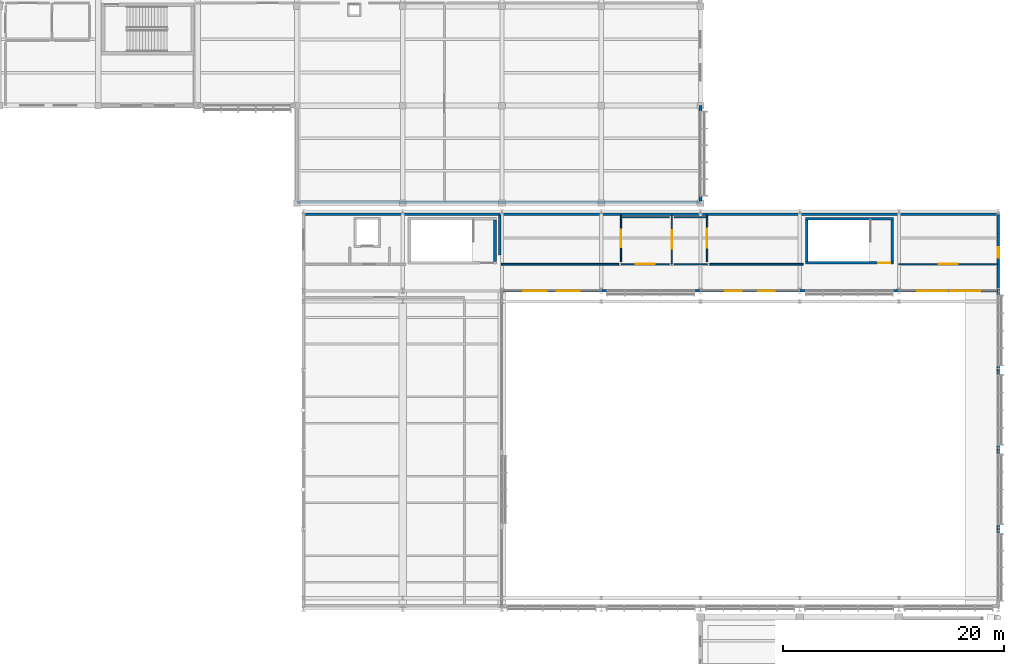
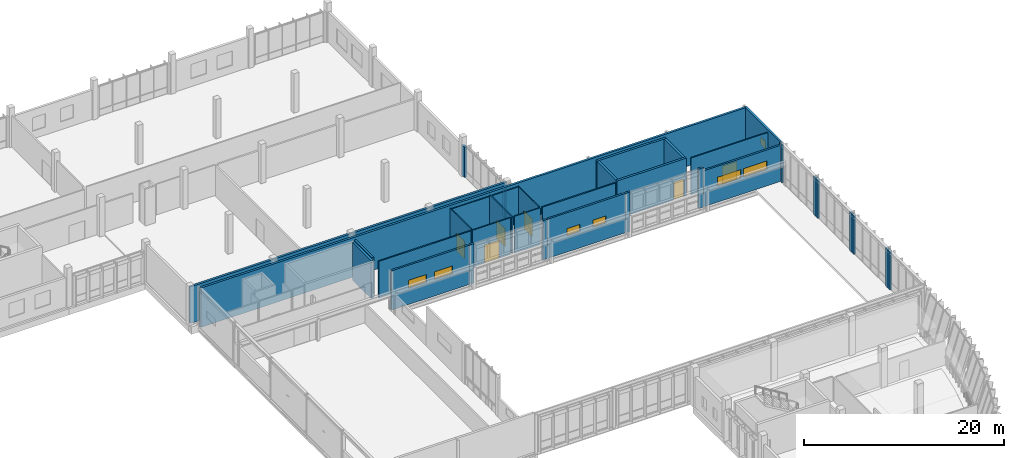
# One storey, part 159 of 177: 35 walls, 7 windows, 6 doors, 13 openings.
"""IFC4 building model written with IfcOpenShell, lengths in metres."""

from ifc_helpers import new_model, si_unit, direction, frame, frame_2d, origin, place, context, subcontext, project, spatial, rectangle, extrude, material, layer, layer_set, type_object, element, fill, save


model = new_model("IFC4")

# Units and contexts
model_context = context("Model", 3, precision=1e-05, world=origin(), true_north=direction((0.0, 1.0)))
body_context = subcontext(model_context, "Body", "Model", "MODEL_VIEW")
ifc_project = project(units=[si_unit("LENGTHUNIT", "METRE"), si_unit("AREAUNIT", "SQUARE_METRE"), si_unit("VOLUMEUNIT", "CUBIC_METRE"), si_unit("PLANEANGLEUNIT", "RADIAN"), si_unit("MASSUNIT", "GRAM", prefix="KILO")], contexts=[model_context])

# Site, building, storey
site_placement = place(None, origin())
site = spatial("IfcSite", under=ifc_project, at=site_placement, CompositionType="ELEMENT")
building_placement = place(site_placement, origin())
building = spatial("IfcBuilding", under=site, at=building_placement, Name="Chiffa Square Polytechnic", CompositionType="ELEMENT")
storey_placement = place(building_placement, frame((0.0, 0.0, 4.800048828125)))
storey = spatial("IfcBuildingStorey", under=building, at=storey_placement, Name="L01", CompositionType="ELEMENT", Elevation=4.800048828125)

# Wall
ifc_material_1 = material(Name="Concrete C40/50", Category="concrete")
ifc_layer_1 = layer(ifc_material_1, 0.25, Name="Concrete C40/50")
ifc_layer_set_1 = layer_set([ifc_layer_1], Name="Concrete C40/50")
wall_type_1 = type_object("IfcWallType", Name="WL-CORE-250", PredefinedType="SHEAR", material=ifc_layer_set_1)
wall_1_placement = place(storey_placement, frame((129.574951171875, 89.675048828125, 0.0), z_axis=(0.0, 0.0, 1.0), x_axis=(0.0, 1.0, 0.0)))
element("IfcWall", 1, at=wall_1_placement, inside=storey, type_object=wall_type_1, Name="Core or enclosure wall WC-CORE-V2A-L01-EAST", PredefinedType="SHEAR", context=body_context, shape_type="SweptSolid", body=[
    extrude(rectangle(XDim=3.7548828125, YDim=0.25, at=frame_2d((1.87744140625, 0.0))), origin(), (0.0, 0.0, 1.0), 4.599853515625),
])

# Wall, opening, door
wall_2_placement = place(storey_placement, frame((157.699951171875, 89.550048828125, 0.0), z_axis=(0.0, 0.0, 1.0), x_axis=(1.0, 0.0, 0.0)))
wall_2 = element("IfcWall", 2, at=wall_2_placement, inside=storey, type_object=wall_type_1, Name="Core or enclosure wall WC-CORE-V2B-L01-SOUTH", PredefinedType="SHEAR", context=body_context, shape_type="SweptSolid", body=[
    extrude(rectangle(XDim=8.0, YDim=0.25, at=frame_2d((4.0, 0.0))), origin(), (0.0, 0.0, 1.0), 4.599853515625),
])
opening_1_placement = place(wall_2_placement, frame((6.60009765625, 0.0, 0.0)))
opening_1 = element("IfcOpeningElement", 3, at=opening_1_placement, cuts=wall_2, Name="Opening DS-L01-020", PredefinedType="OPENING", context=body_context, shape_type="SweptSolid", body=[
    extrude(rectangle(XDim=1.10009765625, YDim=2.14990234375, at=frame_2d((0.550048828125, 1.074951171875))), frame((0.0, 0.135009765625, 0.0), z_axis=(0.0, -1.0, 0.0), x_axis=(1.0, 0.0, 0.0)), (0.0, 0.0, 1.0), 0.27001953125),
])
ifc_material_2 = material(Name="Fire-rated painted steel leaf", Category="steel")
door_type_1 = type_object("IfcDoorType", Name="DR-STAIR-1100", OperationType="NOTDEFINED", PredefinedType="DOOR", material=ifc_material_2)
door_1_placement = place(opening_1_placement, origin())
door_1 = element("IfcDoor", 4, at=door_1_placement, inside=storey, type_object=door_type_1, Name="Enclosure door DS-L01-020", OperationType="SINGLE_SWING_RIGHT", OverallHeight=2.14990234375, OverallWidth=1.10009765625, PredefinedType="DOOR", context=body_context, shape_type="SweptSolid", body=[
    extrude(rectangle(XDim=1.10009765625, YDim=2.14990234375, at=frame_2d((0.550048828125, 1.074951171875))), frame((0.0, 0.02490234375, 0.0), z_axis=(0.0, -1.0, 0.0), x_axis=(1.0, 0.0, 0.0)), (0.0, 0.0, 1.0), 0.050048828125),
])
fill(opening_1, door_1)

# Walls
wall_3_placement = place(storey_placement, frame((157.699951171875, 93.554931640625, 0.0), z_axis=(0.0, 0.0, 1.0), x_axis=(1.0, 0.0, 0.0)))
element("IfcWall", 5, at=wall_3_placement, inside=storey, type_object=wall_type_1, Name="Core or enclosure wall WC-CORE-V2B-L01-NORTH", PredefinedType="SHEAR", context=body_context, shape_type="SweptSolid", body=[
    extrude(rectangle(XDim=8.0, YDim=0.25, at=frame_2d((4.0, 0.0))), origin(), (0.0, 0.0, 1.0), 4.599853515625),
])
for number, where, z_axis, x_axis, name in (
    (6, (157.824951171875, 89.675048828125, 0.0), (0.0, 0.0, 1.0), (0.0, 1.0, 0.0), "Core or enclosure wall WC-CORE-V2B-L01-WEST"),
    (7, (165.574951171875, 89.675048828125, 0.0), (0.0, 0.0, 1.0), (0.0, 1.0, 0.0), "Core or enclosure wall WC-CORE-V2B-L01-EAST"),
):
    element("IfcWall", number, at=place(storey_placement, frame(where, z_axis=z_axis, x_axis=x_axis)), inside=storey, type_object=wall_type_1, Name=name, PredefinedType="SHEAR", context=body_context, shape_type="SweptSolid", body=[
        extrude(rectangle(XDim=3.7548828125, YDim=0.25, at=frame_2d((1.87744140625, 0.0))), origin(), (0.0, 0.0, 1.0), 4.599853515625),
    ])

# Wall, openings, windows
ifc_material_3 = material(Name="Precast concrete C40/50", Category="concrete")
ifc_layer_2 = layer(ifc_material_3, 0.219970703125, Name="Precast concrete C40/50")
ifc_layer_set_2 = layer_set([ifc_layer_2], Name="Precast concrete C40/50")
wall_type_2 = type_object("IfcWallType", Name="WL-EXT-PC220", PredefinedType="SOLIDWALL", material=ifc_layer_set_2)
wall_4_placement = place(storey_placement, frame((130.199951171875, 87.0, 0.0), z_axis=(0.0, 0.0, 1.0), x_axis=(1.0, 0.0, 0.0)))
wall_4 = element("IfcWall", 8, at=wall_4_placement, inside=storey, type_object=wall_type_2, Name="Exterior wall WE-V2-L01-0119", PredefinedType="SOLIDWALL", context=body_context, shape_type="SweptSolid", body=[
    extrude(rectangle(XDim=9.0, YDim=0.219970703125, at=frame_2d((4.5, 0.0))), origin(), (0.0, 0.0, 1.0), 4.800048828125),
])
opening_2_placement = place(wall_4_placement, frame((1.949951171875, 0.0, 2.0)))
opening_2 = element("IfcOpeningElement", 9, at=opening_2_placement, cuts=wall_4, Name="Opening WCL-04", PredefinedType="OPENING", context=body_context, shape_type="SweptSolid", body=[
    extrude(rectangle(XDim=2.10009765625, YDim=0.949951171875, at=frame_2d((1.050048828125, 0.47509765625))), frame((0.0, 0.1201171875, 0.0), z_axis=(0.0, -1.0, 0.0), x_axis=(1.0, 0.0, 0.0)), (0.0, 0.0, 1.0), 0.239990234375),
])
opening_3_placement = place(wall_4_placement, frame((4.949951171875, 0.0, 2.0)))
opening_3 = element("IfcOpeningElement", 10, at=opening_3_placement, cuts=wall_4, Name="Opening WCL-04", PredefinedType="OPENING", context=body_context, shape_type="SweptSolid", body=[
    extrude(rectangle(XDim=2.10009765625, YDim=0.949951171875, at=frame_2d((1.050048828125, 0.47509765625))), frame((0.0, 0.1201171875, 0.0), z_axis=(0.0, -1.0, 0.0), x_axis=(1.0, 0.0, 0.0)), (0.0, 0.0, 1.0), 0.239990234375),
])
ifc_material_4 = material(Name="Double glazing in thermally broken aluminium frame", Category="aluminium")
window_type_1 = type_object("IfcWindowType", Name="WIN-CLR-2100X0950", PartitioningType="DOUBLE_PANEL_VERTICAL", PredefinedType="WINDOW", material=ifc_material_4)
window_1_placement = place(opening_2_placement, origin())
window_1 = element("IfcWindow", 11, at=window_1_placement, inside=storey, type_object=window_type_1, Name="Facade window WN-L01-0111", OverallHeight=0.949951171875, OverallWidth=2.10009765625, PartitioningType="DOUBLE_PANEL_VERTICAL", PredefinedType="WINDOW", context=body_context, shape_type="SweptSolid", body=[
    extrude(rectangle(XDim=2.10009765625, YDim=0.949951171875, at=frame_2d((1.050048828125, 0.47509765625))), frame((0.0, 0.030029296875, 0.0), z_axis=(0.0, -1.0, 0.0), x_axis=(1.0, 0.0, 0.0)), (0.0, 0.0, 1.0), 0.06005859375),
])
fill(opening_2, window_1)
window_2_placement = place(opening_3_placement, origin())
window_2 = element("IfcWindow", 12, at=window_2_placement, inside=storey, type_object=window_type_1, Name="Facade window WN-L01-0112", OverallHeight=0.949951171875, OverallWidth=2.10009765625, PartitioningType="DOUBLE_PANEL_VERTICAL", PredefinedType="WINDOW", context=body_context, shape_type="SweptSolid", body=[
    extrude(rectangle(XDim=2.10009765625, YDim=0.949951171875, at=frame_2d((1.050048828125, 0.47509765625))), frame((0.0, 0.030029296875, 0.0), z_axis=(0.0, -1.0, 0.0), x_axis=(1.0, 0.0, 0.0)), (0.0, 0.0, 1.0), 0.06005859375),
])
fill(opening_3, window_2)

# Walls
for number, where, z_axis, x_axis, name in (
    (13, (139.199951171875, 87.0, 0.0), (0.0, 0.0, 1.0), (1.0, 0.0, 0.0), "Facade column pier V2-L01-0120L"),
    (14, (147.659912109375, 87.0, 0.0), (0.0, 0.0, 1.0), (1.0, 0.0, 0.0), "Facade column pier V2-L01-0120R"),
):
    element("IfcWall", number, at=place(storey_placement, frame(where, z_axis=z_axis, x_axis=x_axis)), inside=storey, type_object=wall_type_2, Name=name, PredefinedType="SOLIDWALL", context=body_context, shape_type="SweptSolid", body=[
        extrude(rectangle(XDim=0.5400390625, YDim=0.219970703125, at=frame_2d((0.27001953125, 0.0))), origin(), (0.0, 0.0, 1.0), 4.800048828125),
    ])

# Wall, openings, windows
wall_5_placement = place(storey_placement, frame((148.199951171875, 87.0, 0.0), z_axis=(0.0, 0.0, 1.0), x_axis=(1.0, 0.0, 0.0)))
wall_5 = element("IfcWall", 15, at=wall_5_placement, inside=storey, type_object=wall_type_2, Name="Exterior wall WE-V2-L01-0121", PredefinedType="SOLIDWALL", context=body_context, shape_type="SweptSolid", body=[
    extrude(rectangle(XDim=9.0, YDim=0.219970703125, at=frame_2d((4.5, 0.0))), origin(), (0.0, 0.0, 1.0), 4.800048828125),
])
opening_4_placement = place(wall_5_placement, frame((2.25, 0.0, 2.0)))
opening_4 = element("IfcOpeningElement", 16, at=opening_4_placement, cuts=wall_5, Name="Opening WCL-06", PredefinedType="OPENING", context=body_context, shape_type="SweptSolid", body=[
    extrude(rectangle(XDim=1.5, YDim=0.85009765625, at=frame_2d((0.75, 0.425048828125))), frame((0.0, 0.1201171875, 0.0), z_axis=(0.0, -1.0, 0.0), x_axis=(1.0, 0.0, 0.0)), (0.0, 0.0, 1.0), 0.239990234375),
])
opening_5_placement = place(wall_5_placement, frame((5.25, 0.0, 2.0)))
opening_5 = element("IfcOpeningElement", 17, at=opening_5_placement, cuts=wall_5, Name="Opening WCL-06", PredefinedType="OPENING", context=body_context, shape_type="SweptSolid", body=[
    extrude(rectangle(XDim=1.5, YDim=0.85009765625, at=frame_2d((0.75, 0.425048828125))), frame((0.0, 0.1201171875, 0.0), z_axis=(0.0, -1.0, 0.0), x_axis=(1.0, 0.0, 0.0)), (0.0, 0.0, 1.0), 0.239990234375),
])
window_type_2 = type_object("IfcWindowType", Name="WIN-CLR-1500X0850", PartitioningType="DOUBLE_PANEL_VERTICAL", PredefinedType="WINDOW", material=ifc_material_4)
window_3_placement = place(opening_4_placement, origin())
window_3 = element("IfcWindow", 18, at=window_3_placement, inside=storey, type_object=window_type_2, Name="Facade window WN-L01-0113", OverallHeight=0.85009765625, OverallWidth=1.5, PartitioningType="DOUBLE_PANEL_VERTICAL", PredefinedType="WINDOW", context=body_context, shape_type="SweptSolid", body=[
    extrude(rectangle(XDim=1.5, YDim=0.85009765625, at=frame_2d((0.75, 0.425048828125))), frame((0.0, 0.030029296875, 0.0), z_axis=(0.0, -1.0, 0.0), x_axis=(1.0, 0.0, 0.0)), (0.0, 0.0, 1.0), 0.06005859375),
])
fill(opening_4, window_3)
window_4_placement = place(opening_5_placement, origin())
window_4 = element("IfcWindow", 19, at=window_4_placement, inside=storey, type_object=window_type_2, Name="Facade window WN-L01-0114", OverallHeight=0.85009765625, OverallWidth=1.5, PartitioningType="DOUBLE_PANEL_VERTICAL", PredefinedType="WINDOW", context=body_context, shape_type="SweptSolid", body=[
    extrude(rectangle(XDim=1.5, YDim=0.85009765625, at=frame_2d((0.75, 0.425048828125))), frame((0.0, 0.030029296875, 0.0), z_axis=(0.0, -1.0, 0.0), x_axis=(1.0, 0.0, 0.0)), (0.0, 0.0, 1.0), 0.06005859375),
])
fill(opening_5, window_4)

# Walls
for number, where, z_axis, x_axis, name in (
    (20, (157.199951171875, 87.0, 0.0), (0.0, 0.0, 1.0), (1.0, 0.0, 0.0), "Facade column pier V2-L01-0122L"),
    (21, (165.659912109375, 87.0, 0.0), (0.0, 0.0, 1.0), (1.0, 0.0, 0.0), "Facade column pier V2-L01-0122R"),
):
    element("IfcWall", number, at=place(storey_placement, frame(where, z_axis=z_axis, x_axis=x_axis)), inside=storey, type_object=wall_type_2, Name=name, PredefinedType="SOLIDWALL", context=body_context, shape_type="SweptSolid", body=[
        extrude(rectangle(XDim=0.5400390625, YDim=0.219970703125, at=frame_2d((0.27001953125, 0.0))), origin(), (0.0, 0.0, 1.0), 4.800048828125),
    ])

# Wall, openings, windows
wall_6_placement = place(storey_placement, frame((166.199951171875, 87.0, 0.0), z_axis=(0.0, 0.0, 1.0), x_axis=(1.0, 0.0, 0.0)))
wall_6 = element("IfcWall", 22, at=wall_6_placement, inside=storey, type_object=wall_type_2, Name="Exterior wall WE-V2-L01-0123", PredefinedType="SOLIDWALL", context=body_context, shape_type="SweptSolid", body=[
    extrude(rectangle(XDim=9.0, YDim=0.219970703125, at=frame_2d((4.5, 0.0))), origin(), (0.0, 0.0, 1.0), 4.39501953125),
])
opening_6_placement = place(wall_6_placement, frame((1.64990234375, 0.0, 2.0)))
opening_6 = element("IfcOpeningElement", 23, at=opening_6_placement, cuts=wall_6, Name="Opening WCL-02", PredefinedType="OPENING", context=body_context, shape_type="SweptSolid", body=[
    extrude(rectangle(XDim=2.699951171875, YDim=1.050048828125, at=frame_2d((1.35009765625, 0.52490234375))), frame((0.0, 0.1201171875, 0.0), z_axis=(0.0, -1.0, 0.0), x_axis=(1.0, 0.0, 0.0)), (0.0, 0.0, 1.0), 0.239990234375),
])
opening_7_placement = place(wall_6_placement, frame((4.64990234375, 0.0, 2.0)))
opening_7 = element("IfcOpeningElement", 24, at=opening_7_placement, cuts=wall_6, Name="Opening WCL-02", PredefinedType="OPENING", context=body_context, shape_type="SweptSolid", body=[
    extrude(rectangle(XDim=2.699951171875, YDim=1.050048828125, at=frame_2d((1.35009765625, 0.52490234375))), frame((0.0, 0.1201171875, 0.0), z_axis=(0.0, -1.0, 0.0), x_axis=(1.0, 0.0, 0.0)), (0.0, 0.0, 1.0), 0.239990234375),
])
window_type_3 = type_object("IfcWindowType", Name="WIN-CLR-2700X1050", PartitioningType="DOUBLE_PANEL_VERTICAL", PredefinedType="WINDOW", material=ifc_material_4)
window_5_placement = place(opening_6_placement, origin())
window_5 = element("IfcWindow", 25, at=window_5_placement, inside=storey, type_object=window_type_3, Name="Facade window WN-L01-0115", OverallHeight=1.050048828125, OverallWidth=2.699951171875, PartitioningType="DOUBLE_PANEL_VERTICAL", PredefinedType="WINDOW", context=body_context, shape_type="SweptSolid", body=[
    extrude(rectangle(XDim=2.699951171875, YDim=1.050048828125, at=frame_2d((1.35009765625, 0.52490234375))), frame((0.0, 0.030029296875, 0.0), z_axis=(0.0, -1.0, 0.0), x_axis=(1.0, 0.0, 0.0)), (0.0, 0.0, 1.0), 0.06005859375),
])
fill(opening_6, window_5)
window_6_placement = place(opening_7_placement, origin())
window_6 = element("IfcWindow", 26, at=window_6_placement, inside=storey, type_object=window_type_3, Name="Facade window WN-L01-0116", OverallHeight=1.050048828125, OverallWidth=2.699951171875, PartitioningType="DOUBLE_PANEL_VERTICAL", PredefinedType="WINDOW", context=body_context, shape_type="SweptSolid", body=[
    extrude(rectangle(XDim=2.699951171875, YDim=1.050048828125, at=frame_2d((1.35009765625, 0.52490234375))), frame((0.0, 0.030029296875, 0.0), z_axis=(0.0, -1.0, 0.0), x_axis=(1.0, 0.0, 0.0)), (0.0, 0.0, 1.0), 0.06005859375),
])
fill(opening_7, window_6)

# Walls
wall_7_placement = place(storey_placement, frame((175.199951171875, 64.97998046875, 0.0), z_axis=(0.0, 0.0, 1.0), x_axis=(0.0, 1.0, 0.0)))
element("IfcWall", 27, at=wall_7_placement, inside=storey, type_object=wall_type_2, Name="Workshop east pier WE-V2-L01E-P01B", PredefinedType="SOLIDWALL", context=body_context, shape_type="SweptSolid", body=[
    extrude(rectangle(XDim=0.419921875, YDim=0.219970703125, at=frame_2d((0.2099609375, 0.0))), origin(), (0.0, 0.0, 1.0), 4.75),
])
for number, where, z_axis, x_axis, name in (
    (28, (175.199951171875, 65.39990234375, 0.0), (0.0, 0.0, 1.0), (0.0, 1.0, 0.0), "Workshop east pier WE-V2-L01E-P02A"),
    (29, (175.199951171875, 72.179931640625, 0.0), (0.0, 0.0, 1.0), (0.0, 1.0, 0.0), "Workshop east pier WE-V2-L01E-P02B"),
):
    element("IfcWall", number, at=place(storey_placement, frame(where, z_axis=z_axis, x_axis=x_axis)), inside=storey, type_object=wall_type_2, Name=name, PredefinedType="SOLIDWALL", context=body_context, shape_type="SweptSolid", body=[
        extrude(rectangle(XDim=0.420166015625, YDim=0.219970703125, at=frame_2d((0.2099609375, 0.0))), origin(), (0.0, 0.0, 1.0), 4.75),
    ])
wall_8_placement = place(storey_placement, frame((175.199951171875, 72.60009765625, 0.0), z_axis=(0.0, 0.0, 1.0), x_axis=(0.0, 1.0, 0.0)))
element("IfcWall", 30, at=wall_8_placement, inside=storey, type_object=wall_type_2, Name="Workshop east pier WE-V2-L01E-P03A", PredefinedType="SOLIDWALL", context=body_context, shape_type="SweptSolid", body=[
    extrude(rectangle(XDim=0.419921875, YDim=0.219970703125, at=frame_2d((0.2099609375, 0.0))), origin(), (0.0, 0.0, 1.0), 4.75),
])
wall_9_placement = place(storey_placement, frame((175.199951171875, 79.3798828125, 0.0), z_axis=(0.0, 0.0, 1.0), x_axis=(0.0, 1.0, 0.0)))
element("IfcWall", 31, at=wall_9_placement, inside=storey, type_object=wall_type_2, Name="Workshop east pier WE-V2-L01E-P03B", PredefinedType="SOLIDWALL", context=body_context, shape_type="SweptSolid", body=[
    extrude(rectangle(XDim=0.420166015625, YDim=0.219970703125, at=frame_2d((0.2099609375, 0.0))), origin(), (0.0, 0.0, 1.0), 4.75),
])
wall_10_placement = place(storey_placement, frame((175.199951171875, 79.800048828125, 0.0), z_axis=(0.0, 0.0, 1.0), x_axis=(0.0, 1.0, 0.0)))
element("IfcWall", 32, at=wall_10_placement, inside=storey, type_object=wall_type_2, Name="Workshop east pier WE-V2-L01E-P04A", PredefinedType="SOLIDWALL", context=body_context, shape_type="SweptSolid", body=[
    extrude(rectangle(XDim=0.419921875, YDim=0.219970703125, at=frame_2d((0.2099609375, 0.0))), origin(), (0.0, 0.0, 1.0), 4.75),
])
wall_11_placement = place(storey_placement, frame((175.199951171875, 86.580078125, 0.0), z_axis=(0.0, 0.0, 1.0), x_axis=(0.0, 1.0, 0.0)))
element("IfcWall", 33, at=wall_11_placement, inside=storey, type_object=wall_type_2, Name="Workshop east pier WE-V2-L01E-P04B", PredefinedType="SOLIDWALL", context=body_context, shape_type="SweptSolid", body=[
    extrude(rectangle(XDim=0.307861328125, YDim=0.219970703125, at=frame_2d((0.15380859375, 0.0))), origin(), (0.0, 0.0, 1.0), 4.75),
])

# Wall, opening, window
ifc_layer_3 = layer(ifc_material_3, 0.239990234375, Name="Precast concrete C40/50")
ifc_layer_set_3 = layer_set([ifc_layer_3], Name="Precast concrete C40/50")
wall_type_3 = type_object("IfcWallType", Name="WL-EXT-PC240", PredefinedType="SOLIDWALL", material=ifc_layer_set_3)
wall_12_placement = place(storey_placement, frame((175.199951171875, 87.0, 0.0), z_axis=(0.0, 0.0, 1.0), x_axis=(0.0, 1.0, 0.0)))
wall_12 = element("IfcWall", 34, at=wall_12_placement, inside=storey, type_object=wall_type_3, Name="Exterior wall WE-V2-L01-0124", PredefinedType="SOLIDWALL", context=body_context, shape_type="SweptSolid", body=[
    extrude(rectangle(XDim=6.949951171875, YDim=0.239990234375, at=frame_2d((3.47509765625, 0.0))), origin(), (0.0, 0.0, 1.0), 4.800048828125),
])
opening_8_placement = place(wall_12_placement, frame((3.0, 0.0, 2.0)))
opening_8 = element("IfcOpeningElement", 35, at=opening_8_placement, cuts=wall_12, Name="Opening W-29", PredefinedType="OPENING", context=body_context, shape_type="SweptSolid", body=[
    extrude(rectangle(XDim=0.949951171875, YDim=0.949951171875, at=frame_2d((0.47509765625, 0.47509765625))), frame((0.0, 0.1298828125, 0.0), z_axis=(0.0, -1.0, 0.0), x_axis=(1.0, 0.0, 0.0)), (0.0, 0.0, 1.0), 0.260009765625),
])
window_type_4 = type_object("IfcWindowType", Name="WIN-OFF-0950X0950", PartitioningType="DOUBLE_PANEL_VERTICAL", PredefinedType="WINDOW", material=ifc_material_4)
window_7_placement = place(opening_8_placement, origin())
window_7 = element("IfcWindow", 36, at=window_7_placement, inside=storey, type_object=window_type_4, Name="Facade window WN-L01-0117", OverallHeight=0.949951171875, OverallWidth=0.949951171875, PartitioningType="DOUBLE_PANEL_VERTICAL", PredefinedType="WINDOW", context=body_context, shape_type="SweptSolid", body=[
    extrude(rectangle(XDim=0.949951171875, YDim=0.949951171875, at=frame_2d((0.47509765625, 0.47509765625))), frame((0.0, 0.030029296875, 0.0), z_axis=(0.0, -1.0, 0.0), x_axis=(1.0, 0.0, 0.0)), (0.0, 0.0, 1.0), 0.06005859375),
])
fill(opening_8, window_7)

# Walls
ifc_layer_4 = layer(ifc_material_3, 0.280029296875, Name="Precast concrete C40/50")
ifc_layer_set_4 = layer_set([ifc_layer_4], Name="Precast concrete C40/50")
wall_type_4 = type_object("IfcWallType", Name="WL-EXT-PC280", PredefinedType="SOLIDWALL", material=ifc_layer_set_4)
wall_13_placement = place(storey_placement, frame((148.199951171875, 95.177001953125, 0.0), z_axis=(0.0, 0.0, 1.0), x_axis=(0.0, 1.0, 0.0)))
element("IfcWall", 37, at=wall_13_placement, inside=storey, type_object=wall_type_4, Name="Facade column pier V5-L01-0268L", PredefinedType="SOLIDWALL", context=body_context, shape_type="SweptSolid", body=[
    extrude(rectangle(XDim=0.4130859375, YDim=0.280029296875, at=frame_2d((0.20654296875, 0.0))), origin(), (0.0, 0.0, 1.0), 3.71484375),
])
wall_14_placement = place(storey_placement, frame((148.199951171875, 103.260009765625, 0.0), z_axis=(0.0, 0.0, 1.0), x_axis=(0.0, 1.0, 0.0)))
element("IfcWall", 38, at=wall_14_placement, inside=storey, type_object=wall_type_4, Name="Facade column pier V5-L01-0268R", PredefinedType="SOLIDWALL", context=body_context, shape_type="SweptSolid", body=[
    extrude(rectangle(XDim=0.5400390625, YDim=0.280029296875, at=frame_2d((0.27001953125, 0.0))), origin(), (0.0, 0.0, 1.0), 3.71484375),
])

# Wall, opening, door
ifc_material_5 = material(Name="Gypsum board on steel stud", Category="steel")
ifc_layer_5 = layer(ifc_material_5, 0.125, Name="Gypsum board on steel stud")
ifc_layer_set_5 = layer_set([ifc_layer_5], Name="Gypsum board on steel stud")
wall_type_5 = type_object("IfcWallType", Name="WL-PART-125", PredefinedType="PARTITIONING", material=ifc_layer_set_5)
wall_15_placement = place(storey_placement, frame((166.194091796875, 89.425048828125, 0.0), z_axis=(0.0, 0.0, 1.0), x_axis=(1.0, 0.0, 0.0)))
wall_15 = element("IfcWall", 39, at=wall_15_placement, inside=storey, type_object=wall_type_5, Name="Interior partition WP-V2-L01-0266", PredefinedType="PARTITIONING", context=body_context, shape_type="SweptSolid", body=[
    extrude(rectangle(XDim=8.950927734375, YDim=0.125, at=frame_2d((4.4755859375, 0.0))), origin(), (0.0, 0.0, 1.0), 4.47998046875),
])
opening_9_placement = place(wall_15_placement, frame((3.6259765625, 0.0, 0.0)))
opening_9 = element("IfcOpeningElement", 40, at=opening_9_placement, cuts=wall_15, Name="Opening DI-L01-125", PredefinedType="OPENING", context=body_context, shape_type="SweptSolid", body=[
    extrude(rectangle(XDim=1.699951171875, YDim=2.199951171875, at=frame_2d((0.85009765625, 1.10009765625))), frame((0.0, 0.072509765625, 0.0), z_axis=(0.0, -1.0, 0.0), x_axis=(1.0, 0.0, 0.0)), (0.0, 0.0, 1.0), 0.14501953125),
])
ifc_material_6 = material(Name="Steel-faced workshop double door", Category="steel")
door_type_2 = type_object("IfcDoorType", Name="DR-WKS-DBL-1700", OperationType="DOUBLE_DOOR_SINGLE_SWING", PredefinedType="DOOR", material=ifc_material_6)
door_2_placement = place(opening_9_placement, origin())
door_2 = element("IfcDoor", 41, at=door_2_placement, inside=storey, type_object=door_type_2, Name="Interior room door DI-L01-125", OperationType="DOUBLE_DOOR_SINGLE_SWING", OverallHeight=2.199951171875, OverallWidth=1.699951171875, PredefinedType="DOOR", context=body_context, shape_type="SweptSolid", body=[
    extrude(rectangle(XDim=1.699951171875, YDim=2.199951171875, at=frame_2d((0.85009765625, 1.10009765625))), frame((0.0, 0.02490234375, 0.0), z_axis=(0.0, -1.0, 0.0), x_axis=(1.0, 0.0, 0.0)), (0.0, 0.0, 1.0), 0.050048828125),
])
fill(opening_9, door_2)

# Walls
ifc_material_7 = material(Name="Gypsum board on acoustic steel stud", Category="steel")
ifc_layer_6 = layer(ifc_material_7, 0.159912109375, Name="Gypsum board on acoustic steel stud")
ifc_layer_set_6 = layer_set([ifc_layer_6], Name="Gypsum board on acoustic steel stud")
wall_type_6 = type_object("IfcWallType", Name="WL-PART-EI60-160", PredefinedType="PARTITIONING", material=ifc_layer_set_6)
wall_16_placement = place(storey_placement, frame((149.02001953125, 89.425048828125, 0.0), z_axis=(0.0, 0.0, 1.0), x_axis=(1.0, 0.0, 0.0)))
element("IfcWall", 42, at=wall_16_placement, inside=storey, type_object=wall_type_6, Name="Interior partition WP-V2-L01-0265", PredefinedType="PARTITIONING", context=body_context, shape_type="SweptSolid", body=[
    extrude(rectangle(XDim=8.47509765625, YDim=0.159912109375, at=frame_2d((4.237548828125, 0.0))), origin(), (0.0, 0.0, 1.0), 4.47998046875),
])
wall_17_placement = place(storey_placement, frame((130.14990234375, 89.425048828125, 0.0), z_axis=(0.0, 0.0, 1.0), x_axis=(1.0, 0.0, 0.0)))
element("IfcWall", 43, at=wall_17_placement, inside=storey, type_object=wall_type_6, Name="Interior partition WP-V2-L01-0267", PredefinedType="PARTITIONING", context=body_context, shape_type="SweptSolid", body=[
    extrude(rectangle(XDim=10.630126953125, YDim=0.159912109375, at=frame_2d((5.31494140625, 0.0))), origin(), (0.0, 0.0, 1.0), 4.47998046875),
])
ifc_material_8 = material(Name="Gypsum board on twin steel stud", Category="steel")
ifc_layer_7 = layer(ifc_material_8, 0.18505859375, Name="Gypsum board on twin steel stud")
ifc_layer_set_7 = layer_set([ifc_layer_7], Name="Gypsum board on twin steel stud")
wall_type_7 = type_object("IfcWallType", Name="WL-PART-EI90-185", PredefinedType="PARTITIONING", material=ifc_layer_set_7)
wall_18_placement = place(storey_placement, frame((130.0, 90.25390625, 0.0), z_axis=(0.0, 0.0, 1.0), x_axis=(0.0, 1.0, 0.0)))
element("IfcWall", 44, at=wall_18_placement, inside=storey, type_object=wall_type_7, Name="Interior partition WP-V2-L01-0268", PredefinedType="PARTITIONING", context=body_context, shape_type="SweptSolid", body=[
    extrude(rectangle(XDim=3.64111328125, YDim=0.18505859375, at=frame_2d((1.820556640625, 0.0))), origin(), (0.0, 0.0, 1.0), 4.47998046875),
])

# Wall, opening, door
ifc_material_9 = material(Name="Moisture-resistant board partition")
ifc_layer_8 = layer(ifc_material_9, 0.1201171875, Name="Moisture-resistant board partition")
ifc_layer_set_8 = layer_set([ifc_layer_8], Name="Moisture-resistant board partition")
wall_type_8 = type_object("IfcWallType", Name="WL-PART-WC-120", PredefinedType="PARTITIONING", material=ifc_layer_set_8)
wall_19_placement = place(storey_placement, frame((145.60009765625, 89.425048828125, 0.0), z_axis=(0.0, 0.0, 1.0), x_axis=(0.0, 1.0, 0.0)))
wall_19 = element("IfcWall", 45, at=wall_19_placement, inside=storey, type_object=wall_type_8, Name="Interior partition WP-V2-L01-0241", PredefinedType="PARTITIONING", context=body_context, shape_type="SweptSolid", body=[
    extrude(rectangle(XDim=4.469970703125, YDim=0.1201171875, at=frame_2d((2.23486328125, 0.0))), origin(), (0.0, 0.0, 1.0), 4.47998046875),
])
opening_10_placement = place(wall_19_placement, frame((1.385009765625, 0.0, 0.0)))
opening_10 = element("IfcOpeningElement", 46, at=opening_10_placement, cuts=wall_19, Name="Opening DI-L01-114", PredefinedType="OPENING", context=body_context, shape_type="SweptSolid", body=[
    extrude(rectangle(XDim=1.699951171875, YDim=2.199951171875, at=frame_2d((0.85009765625, 1.10009765625))), frame((0.0, 0.070068359375, 0.0), z_axis=(0.0, -1.0, 0.0), x_axis=(1.0, 0.0, 0.0)), (0.0, 0.0, 1.0), 0.14013671875),
])
door_3_placement = place(opening_10_placement, origin())
door_3 = element("IfcDoor", 47, at=door_3_placement, inside=storey, type_object=door_type_2, Name="Interior room door DI-L01-114", OperationType="DOUBLE_DOOR_SINGLE_SWING", OverallHeight=2.199951171875, OverallWidth=1.699951171875, PredefinedType="DOOR", context=body_context, shape_type="SweptSolid", body=[
    extrude(rectangle(XDim=1.699951171875, YDim=2.199951171875, at=frame_2d((0.85009765625, 1.10009765625))), frame((0.0, 0.02490234375, 0.0), z_axis=(0.0, -1.0, 0.0), x_axis=(1.0, 0.0, 0.0)), (0.0, 0.0, 1.0), 0.050048828125),
])
fill(opening_10, door_3)

# Walls
for number, where, z_axis, x_axis, name in (
    (48, (145.820068359375, 89.425048828125, 0.0), (0.0, 0.0, 1.0), (1.0, 0.0, 0.0), "Interior partition WP-V2-L01-0242"),
    (49, (145.820068359375, 93.679931640625, 0.0), (0.0, 0.0, 1.0), (1.0, 0.0, 0.0), "Interior partition WP-V2-L01-0243"),
):
    element("IfcWall", number, at=place(storey_placement, frame(where, z_axis=z_axis, x_axis=x_axis)), inside=storey, type_object=wall_type_8, Name=name, PredefinedType="PARTITIONING", context=body_context, shape_type="SweptSolid", body=[
        extrude(rectangle(XDim=2.97998046875, YDim=0.1201171875, at=frame_2d((1.489990234375, 0.0))), origin(), (0.0, 0.0, 1.0), 4.47998046875),
    ])

# Wall, opening, door
wall_20_placement = place(storey_placement, frame((148.800048828125, 89.64501953125, 0.0), z_axis=(0.0, 0.0, 1.0), x_axis=(0.0, 1.0, 0.0)))
wall_20 = element("IfcWall", 50, at=wall_20_placement, inside=storey, type_object=wall_type_8, Name="Interior partition WP-V2-L01-0244", PredefinedType="PARTITIONING", context=body_context, shape_type="SweptSolid", body=[
    extrude(rectangle(XDim=4.25, YDim=0.1201171875, at=frame_2d((2.125, 0.0))), origin(), (0.0, 0.0, 1.0), 4.47998046875),
])
opening_11_placement = place(wall_20_placement, frame((1.27490234375, 0.0, 0.0)))
opening_11 = element("IfcOpeningElement", 51, at=opening_11_placement, cuts=wall_20, Name="Opening DI-L01-115", PredefinedType="OPENING", context=body_context, shape_type="SweptSolid", body=[
    extrude(rectangle(XDim=1.699951171875, YDim=2.199951171875, at=frame_2d((0.85009765625, 1.10009765625))), frame((0.0, 0.070068359375, 0.0), z_axis=(0.0, -1.0, 0.0), x_axis=(1.0, 0.0, 0.0)), (0.0, 0.0, 1.0), 0.14013671875),
])
door_4_placement = place(opening_11_placement, origin())
door_4 = element("IfcDoor", 52, at=door_4_placement, inside=storey, type_object=door_type_2, Name="Interior room door DI-L01-115", OperationType="DOUBLE_DOOR_SINGLE_SWING", OverallHeight=2.199951171875, OverallWidth=1.699951171875, PredefinedType="DOOR", context=body_context, shape_type="SweptSolid", body=[
    extrude(rectangle(XDim=1.699951171875, YDim=2.199951171875, at=frame_2d((0.85009765625, 1.10009765625))), frame((0.0, 0.02490234375, 0.0), z_axis=(0.0, -1.0, 0.0), x_axis=(1.0, 0.0, 0.0)), (0.0, 0.0, 1.0), 0.050048828125),
])
fill(opening_11, door_4)

# Wall
wall_21_placement = place(storey_placement, frame((141.0, 93.679931640625, 0.0), z_axis=(0.0, 0.0, 1.0), x_axis=(1.0, 0.0, 0.0)))
element("IfcWall", 53, at=wall_21_placement, inside=storey, type_object=wall_type_8, Name="Interior partition WP-V2-L01-0262", PredefinedType="PARTITIONING", context=body_context, shape_type="SweptSolid", body=[
    extrude(rectangle(XDim=4.3798828125, YDim=0.1201171875, at=frame_2d((2.18994140625, 0.0))), origin(), (0.0, 0.0, 1.0), 4.47998046875),
])

# Wall, opening, door
wall_22_placement = place(storey_placement, frame((141.0, 89.425048828125, 0.0), z_axis=(0.0, 0.0, 1.0), x_axis=(1.0, 0.0, 0.0)))
wall_22 = element("IfcWall", 54, at=wall_22_placement, inside=storey, type_object=wall_type_8, Name="Interior partition WP-V2-L01-0263", PredefinedType="PARTITIONING", context=body_context, shape_type="SweptSolid", body=[
    extrude(rectangle(XDim=4.3798828125, YDim=0.1201171875, at=frame_2d((2.18994140625, 0.0))), origin(), (0.0, 0.0, 1.0), 4.47998046875),
])
opening_12_placement = place(wall_22_placement, frame((1.340087890625, 0.0, 0.0)))
opening_12 = element("IfcOpeningElement", 55, at=opening_12_placement, cuts=wall_22, Name="Opening DI-L01-123", PredefinedType="OPENING", context=body_context, shape_type="SweptSolid", body=[
    extrude(rectangle(XDim=1.699951171875, YDim=2.199951171875, at=frame_2d((0.85009765625, 1.10009765625))), frame((0.0, 0.070068359375, 0.0), z_axis=(0.0, -1.0, 0.0), x_axis=(1.0, 0.0, 0.0)), (0.0, 0.0, 1.0), 0.14013671875),
])
door_5_placement = place(opening_12_placement, origin())
door_5 = element("IfcDoor", 56, at=door_5_placement, inside=storey, type_object=door_type_2, Name="Interior room door DI-L01-123", OperationType="DOUBLE_DOOR_SINGLE_SWING", OverallHeight=2.199951171875, OverallWidth=1.699951171875, PredefinedType="DOOR", context=body_context, shape_type="SweptSolid", body=[
    extrude(rectangle(XDim=1.699951171875, YDim=2.199951171875, at=frame_2d((0.85009765625, 1.10009765625))), frame((0.0, 0.02490234375, 0.0), z_axis=(0.0, -1.0, 0.0), x_axis=(1.0, 0.0, 0.0)), (0.0, 0.0, 1.0), 0.050048828125),
])
fill(opening_12, door_5)

wall_23_placement = place(storey_placement, frame((141.0, 89.64501953125, 0.0), z_axis=(0.0, 0.0, 1.0), x_axis=(0.0, 1.0, 0.0)))
wall_23 = element("IfcWall", 57, at=wall_23_placement, inside=storey, type_object=wall_type_8, Name="Interior partition WP-V2-L01-0264", PredefinedType="PARTITIONING", context=body_context, shape_type="SweptSolid", body=[
    extrude(rectangle(XDim=4.25, YDim=0.1201171875, at=frame_2d((2.125, 0.0))), origin(), (0.0, 0.0, 1.0), 4.47998046875),
])
opening_13_placement = place(wall_23_placement, frame((1.324951171875, 0.0, 0.0)))
opening_13 = element("IfcOpeningElement", 58, at=opening_13_placement, cuts=wall_23, Name="Opening DI-L01-124", PredefinedType="OPENING", context=body_context, shape_type="SweptSolid", body=[
    extrude(rectangle(XDim=1.60009765625, YDim=2.199951171875, at=frame_2d((0.800048828125, 1.10009765625))), frame((0.0, 0.070068359375, 0.0), z_axis=(0.0, -1.0, 0.0), x_axis=(1.0, 0.0, 0.0)), (0.0, 0.0, 1.0), 0.14013671875),
])
ifc_material_10 = material(Name="Vision-panel timber laboratory door", Category="wood")
door_type_3 = type_object("IfcDoorType", Name="DR-LAB-DBL-1600", OperationType="DOUBLE_DOOR_SINGLE_SWING", PredefinedType="DOOR", material=ifc_material_10)
door_6_placement = place(opening_13_placement, origin())
door_6 = element("IfcDoor", 59, at=door_6_placement, inside=storey, type_object=door_type_3, Name="Interior room door DI-L01-124", OperationType="DOUBLE_DOOR_SINGLE_SWING", OverallHeight=2.199951171875, OverallWidth=1.60009765625, PredefinedType="DOOR", context=body_context, shape_type="SweptSolid", body=[
    extrude(rectangle(XDim=1.60009765625, YDim=2.199951171875, at=frame_2d((0.800048828125, 1.10009765625))), frame((0.0, 0.02490234375, 0.0), z_axis=(0.0, -1.0, 0.0), x_axis=(1.0, 0.0, 0.0)), (0.0, 0.0, 1.0), 0.050048828125),
])
fill(opening_13, door_6)

# Walls
ifc_material_11 = material(Name="Concrete C35/45", Category="concrete")
ifc_layer_9 = layer(ifc_material_11, 0.25, Name="Concrete C35/45")
ifc_layer_set_9 = layer_set([ifc_layer_9], Name="Concrete C35/45")
wall_type_9 = type_object("IfcWallType", Name="WL-SJ-250", PredefinedType="SHEAR", material=ifc_layer_set_9)
wall_24_placement = place(storey_placement, frame((175.199951171875, 93.949951171875, 0.0), z_axis=(0.0, 0.0, 1.0), x_axis=(-1.0, 0.0, 0.0)))
element("IfcWall", 60, at=wall_24_placement, inside=storey, type_object=wall_type_9, Name="Seismic-joint fire wall WE-V2-L01-0125", PredefinedType="SHEAR", context=body_context, shape_type="SweptSolid", body=[
    extrude(rectangle(XDim=63.0, YDim=0.25, at=frame_2d((31.5, 0.0))), origin(), (0.0, 0.0, 1.0), 4.800048828125),
])
wall_25_placement = place(storey_placement, frame((111.60009765625, 95.050048828125, 0.0), z_axis=(0.0, 0.0, 1.0), x_axis=(1.0, 0.0, 0.0)))
element("IfcWall", 61, at=wall_25_placement, inside=storey, type_object=wall_type_9, Name="Seismic-joint fire wall WE-V5-L01-0267", PredefinedType="SHEAR", context=body_context, shape_type="SweptSolid", body=[
    extrude(rectangle(XDim=36.599853515625, YDim=0.25, at=frame_2d((18.2998046875, 0.0))), origin(), (0.0, 0.0, 1.0), 4.47998046875),
])

save(model, "model.ifc")
